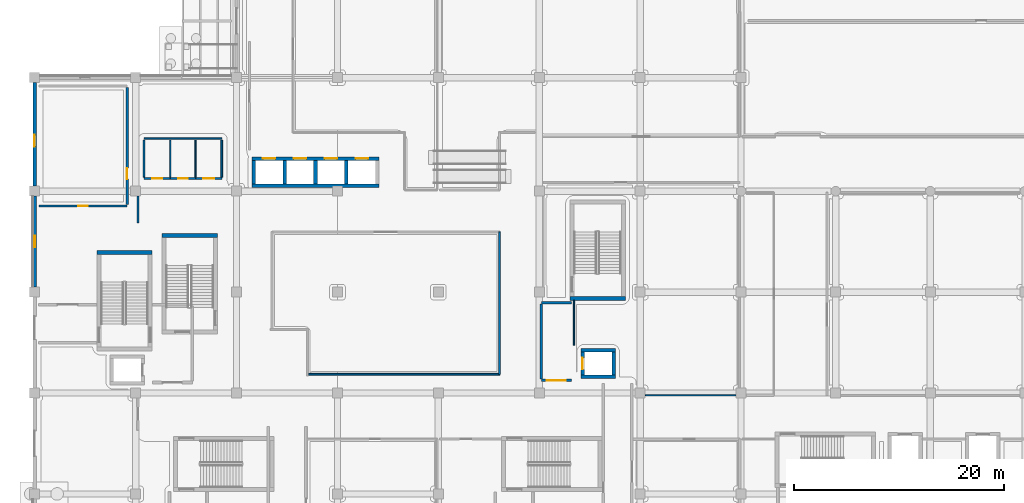
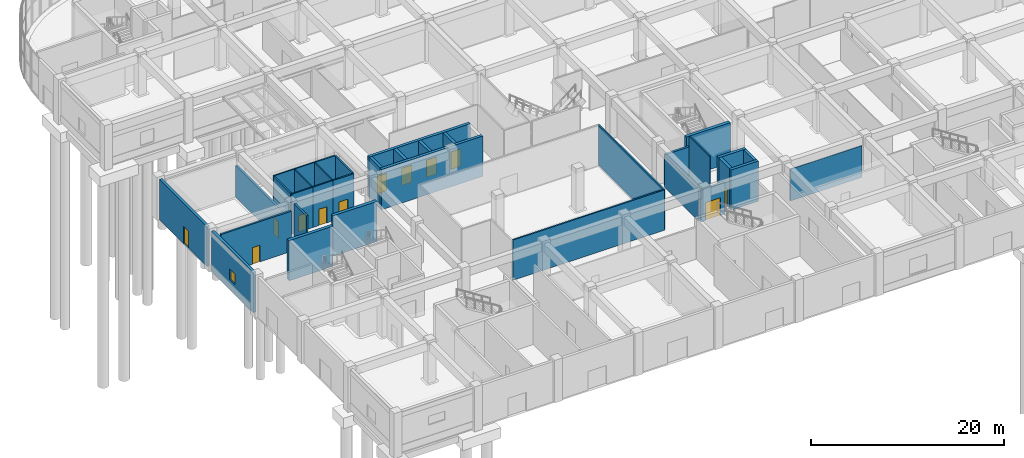
# One storey, part 29 of 74: 33 walls, 12 doors, 1 window, 13 openings.
"""IFC4 building model written with IfcOpenShell, lengths in metres."""

from ifc_helpers import new_model, si_unit, direction, frame, frame_2d, origin, place, context, subcontext, project, spatial, rectangle, extrude, material, layer, layer_set, type_object, element, fill, save


model = new_model("IFC4")

# Units and contexts
model_context = context("Model", 3, precision=1e-05, world=origin(), true_north=direction((0.0, 1.0)))
body_context = subcontext(model_context, "Body", "Model", "MODEL_VIEW")
ifc_project = project(units=[si_unit("LENGTHUNIT", "METRE"), si_unit("AREAUNIT", "SQUARE_METRE"), si_unit("VOLUMEUNIT", "CUBIC_METRE"), si_unit("PLANEANGLEUNIT", "RADIAN"), si_unit("MASSUNIT", "GRAM", prefix="KILO")], contexts=[model_context])

# Site, building, storey
site_placement = place(None, origin())
site = spatial("IfcSite", under=ifc_project, at=site_placement, CompositionType="ELEMENT")
building_placement = place(site_placement, origin())
building = spatial("IfcBuilding", under=site, at=building_placement, Name="Cendralis Terraced Arcade", CompositionType="ELEMENT")
storey_placement = place(building_placement, origin())
storey = spatial("IfcBuildingStorey", under=building, at=storey_placement, Name="L00", CompositionType="ELEMENT", Elevation=0.0)

# Walls
ifc_material_1 = material(Name="Gypsum plasterboard acoustic partition", Category="concrete")
ifc_layer_1 = layer(ifc_material_1, 0.199951171875, Name="WL-ACOU-200")
ifc_layer_set_1 = layer_set([ifc_layer_1], Name="Gypsum plasterboard acoustic partition")
wall_type_1 = type_object("IfcWallType", Name="WL-ACOU-200", PredefinedType="PARTITIONING", material=ifc_layer_set_1)
wall_1_placement = place(storey_placement, frame((9.820068359375, 37.925048828125, 0.0), z_axis=(0.0, 0.0, 1.0), x_axis=(0.0, -1.0, 0.0)))
element("IfcWall", 1, at=wall_1_placement, inside=storey, type_object=wall_type_1, Name="Interior Partition Wall IW-L00-0208", PredefinedType="PARTITIONING", context=body_context, shape_type="SweptSolid", body=[
    extrude(rectangle(XDim=2.545166015625, YDim=0.199951171875, at=frame_2d((1.2724609375, 0.0))), origin(), (0.0, 0.0, 1.0), 5.090087890625),
])
ifc_material_2 = material(Name="Concrete f'c 42 MPa", Category="concrete")
ifc_layer_2 = layer(ifc_material_2, 0.340087890625, Name="WL-CORE-340")
ifc_layer_set_2 = layer_set([ifc_layer_2], Name="Concrete f'c 42 MPa")
wall_type_2 = type_object("IfcWallType", Name="WL-CORE-340", PredefinedType="SHEAR", material=ifc_layer_set_2)
for number, where, z_axis, x_axis, name in (
    (2, (51.9599609375, 20.72998046875, 0.0), (0.0, 0.0, 1.0), (1.0, 0.0, 0.0), "Lift FFL-02 Reinforced Concrete Shaft Wall (L00)"),
    (3, (51.9599609375, 23.27001953125, 0.0), (0.0, 0.0, 1.0), (1.0, 0.0, 0.0), "Lift FFL-02 Reinforced Concrete Shaft Wall (L00)"),
):
    element("IfcWall", number, at=place(storey_placement, frame(where, z_axis=z_axis, x_axis=x_axis)), inside=storey, type_object=wall_type_2, Name=name, PredefinedType="SHEAR", context=body_context, shape_type="SweptSolid", body=[
        extrude(rectangle(XDim=3.280029296875, YDim=0.340087890625, at=frame_2d((1.64013671875, 0.0))), origin(), (0.0, 0.0, 1.0), 5.090087890625),
    ])

# Wall, opening, door
wall_2_placement = place(storey_placement, frame((52.1298828125, 20.89990234375, 0.0), z_axis=(0.0, 0.0, 1.0), x_axis=(0.0, 1.0, 0.0)))
wall_2 = element("IfcWall", 4, at=wall_2_placement, inside=storey, type_object=wall_type_2, Name="Lift FFL-02 Reinforced Concrete Shaft Wall (L00)", PredefinedType="SHEAR", context=body_context, shape_type="SweptSolid", body=[
    extrude(rectangle(XDim=2.2001953125, YDim=0.340087890625, at=frame_2d((1.10009765625, 0.0))), origin(), (0.0, 0.0, 1.0), 5.090087890625),
])
opening_1_placement = place(wall_2_placement, frame((0.550048828125, 0.0, 0.0)))
opening_1 = element("IfcOpeningElement", 5, at=opening_1_placement, cuts=wall_2, Name="Opening LD-FFL-02-L00", PredefinedType="OPENING", context=body_context, shape_type="SweptSolid", body=[
    extrude(rectangle(XDim=1.10009765625, YDim=2.14990234375, at=frame_2d((0.550048828125, 1.074951171875))), frame((0.0, 0.18212890625, 0.0), z_axis=(0.0, -1.0, 0.0), x_axis=(1.0, 0.0, 0.0)), (0.0, 0.0, 1.0), 0.364013671875),
])
ifc_material_3 = material(Name="Anodised aluminium sliding door assembly", Category="aluminium")
door_type_1 = type_object("IfcDoorType", Name="ID-LD-FF-1100x2150", OperationType="DOUBLE_DOOR_SLIDING", PredefinedType="DOOR", material=ifc_material_3)
door_1_placement = place(opening_1_placement, origin())
door_1 = element("IfcDoor", 6, at=door_1_placement, inside=storey, type_object=door_type_1, Name="Lift FFL-02 Sliding Landing Door (L00)", OperationType="DOUBLE_DOOR_SLIDING", OverallHeight=2.14990234375, OverallWidth=1.10009765625, PredefinedType="DOOR", context=body_context, shape_type="SweptSolid", body=[
    extrude(rectangle(XDim=1.10009765625, YDim=2.14990234375, at=frame_2d((0.550048828125, 1.074951171875))), frame((0.0, 0.02490234375, 0.0), z_axis=(0.0, -1.0, 0.0), x_axis=(1.0, 0.0, 0.0)), (0.0, 0.0, 1.0), 0.050048828125),
])
fill(opening_1, door_1)

# Walls
wall_3_placement = place(storey_placement, frame((55.070068359375, 20.89990234375, 0.0), z_axis=(0.0, 0.0, 1.0), x_axis=(0.0, 1.0, 0.0)))
element("IfcWall", 7, at=wall_3_placement, inside=storey, type_object=wall_type_2, Name="Lift FFL-02 Reinforced Concrete Shaft Wall (L00)", PredefinedType="SHEAR", context=body_context, shape_type="SweptSolid", body=[
    extrude(rectangle(XDim=2.2001953125, YDim=0.340087890625, at=frame_2d((1.10009765625, 0.0))), origin(), (0.0, 0.0, 1.0), 5.090087890625),
])
for number, where, z_axis, x_axis, name in (
    (8, (23.77001953125, 39.074951171875, 0.0), (0.0, 0.0, 1.0), (0.0, 1.0, 0.0), "Lift PL-01 Reinforced Concrete Shaft Wall (L00)"),
    (9, (20.830078125, 39.074951171875, 0.0), (0.0, 0.0, 1.0), (0.0, 1.0, 0.0), "Lift PL-01 Reinforced Concrete Shaft Wall (L00)"),
):
    element("IfcWall", number, at=place(storey_placement, frame(where, z_axis=z_axis, x_axis=x_axis)), inside=storey, type_object=wall_type_2, Name=name, PredefinedType="SHEAR", context=body_context, shape_type="SweptSolid", body=[
        extrude(rectangle(XDim=2.25, YDim=0.340087890625, at=frame_2d((1.125, 0.0))), origin(), (0.0, 0.0, 1.0), 5.090087890625),
    ])
wall_4_placement = place(storey_placement, frame((20.659912109375, 38.905029296875, 0.0), z_axis=(0.0, 0.0, 1.0), x_axis=(1.0, 0.0, 0.0)))
element("IfcWall", 10, at=wall_4_placement, inside=storey, type_object=wall_type_2, Name="Lift PL-01 Reinforced Concrete Shaft Wall (L00)", PredefinedType="SHEAR", context=body_context, shape_type="SweptSolid", body=[
    extrude(rectangle(XDim=12.10009765625, YDim=0.340087890625, at=frame_2d((6.050048828125, 0.0))), origin(), (0.0, 0.0, 1.0), 5.090087890625),
])

# Wall, openings, doors
wall_5_placement = place(storey_placement, frame((20.659912109375, 41.4951171875, 0.0), z_axis=(0.0, 0.0, 1.0), x_axis=(1.0, 0.0, 0.0)))
wall_5 = element("IfcWall", 11, at=wall_5_placement, inside=storey, type_object=wall_type_2, Name="Lift PL-01 Reinforced Concrete Shaft Wall (L00)", PredefinedType="SHEAR", context=body_context, shape_type="SweptSolid", body=[
    extrude(rectangle(XDim=12.10009765625, YDim=0.340087890625, at=frame_2d((6.050048828125, 0.0))), origin(), (0.0, 0.0, 1.0), 5.090087890625),
])
opening_2_placement = place(wall_5_placement, frame((1.0400390625, 0.0, 0.0)))
opening_2 = element("IfcOpeningElement", 12, at=opening_2_placement, cuts=wall_5, Name="Opening LD-PL-01-L00", PredefinedType="OPENING", context=body_context, shape_type="SweptSolid", body=[
    extrude(rectangle(XDim=1.199951171875, YDim=2.199951171875, at=frame_2d((0.60009765625, 1.10009765625))), frame((0.0, 0.18212890625, 0.0), z_axis=(0.0, -1.0, 0.0), x_axis=(1.0, 0.0, 0.0)), (0.0, 0.0, 1.0), 0.364013671875),
])
opening_3_placement = place(wall_5_placement, frame((3.97998046875, 0.0, 0.0)))
opening_3 = element("IfcOpeningElement", 13, at=opening_3_placement, cuts=wall_5, Name="Opening LD-PL-02-L00", PredefinedType="OPENING", context=body_context, shape_type="SweptSolid", body=[
    extrude(rectangle(XDim=1.199951171875, YDim=2.199951171875, at=frame_2d((0.60009765625, 1.10009765625))), frame((0.0, 0.18212890625, 0.0), z_axis=(0.0, -1.0, 0.0), x_axis=(1.0, 0.0, 0.0)), (0.0, 0.0, 1.0), 0.364013671875),
])
opening_4_placement = place(wall_5_placement, frame((6.919921875, 0.0, 0.0)))
opening_4 = element("IfcOpeningElement", 14, at=opening_4_placement, cuts=wall_5, Name="Opening LD-PL-03-L00", PredefinedType="OPENING", context=body_context, shape_type="SweptSolid", body=[
    extrude(rectangle(XDim=1.199951171875, YDim=2.199951171875, at=frame_2d((0.60009765625, 1.10009765625))), frame((0.0, 0.18212890625, 0.0), z_axis=(0.0, -1.0, 0.0), x_axis=(1.0, 0.0, 0.0)), (0.0, 0.0, 1.0), 0.364013671875),
])
opening_5_placement = place(wall_5_placement, frame((9.860107421875, 0.0, 0.0)))
opening_5 = element("IfcOpeningElement", 15, at=opening_5_placement, cuts=wall_5, Name="Opening LD-PL-04-L00", PredefinedType="OPENING", context=body_context, shape_type="SweptSolid", body=[
    extrude(rectangle(XDim=1.199951171875, YDim=2.199951171875, at=frame_2d((0.60009765625, 1.10009765625))), frame((0.0, 0.18212890625, 0.0), z_axis=(0.0, -1.0, 0.0), x_axis=(1.0, 0.0, 0.0)), (0.0, 0.0, 1.0), 0.364013671875),
])
door_type_2 = type_object("IfcDoorType", Name="ID-LD-PX-1200x2200", OperationType="DOUBLE_DOOR_SLIDING", PredefinedType="DOOR", material=ifc_material_3)
door_2_placement = place(opening_2_placement, origin())
door_2 = element("IfcDoor", 16, at=door_2_placement, inside=storey, type_object=door_type_2, Name="Lift PL-01 Sliding Landing Door (L00)", OperationType="DOUBLE_DOOR_SLIDING", OverallHeight=2.199951171875, OverallWidth=1.199951171875, PredefinedType="DOOR", context=body_context, shape_type="SweptSolid", body=[
    extrude(rectangle(XDim=1.199951171875, YDim=2.199951171875, at=frame_2d((0.60009765625, 1.10009765625))), frame((0.0, 0.02490234375, 0.0), z_axis=(0.0, -1.0, 0.0), x_axis=(1.0, 0.0, 0.0)), (0.0, 0.0, 1.0), 0.050048828125),
])
fill(opening_2, door_2)
door_3_placement = place(opening_3_placement, origin())
door_3 = element("IfcDoor", 17, at=door_3_placement, inside=storey, type_object=door_type_2, Name="Lift PL-02 Sliding Landing Door (L00)", OperationType="DOUBLE_DOOR_SLIDING", OverallHeight=2.199951171875, OverallWidth=1.199951171875, PredefinedType="DOOR", context=body_context, shape_type="SweptSolid", body=[
    extrude(rectangle(XDim=1.199951171875, YDim=2.199951171875, at=frame_2d((0.60009765625, 1.10009765625))), frame((0.0, 0.02490234375, 0.0), z_axis=(0.0, -1.0, 0.0), x_axis=(1.0, 0.0, 0.0)), (0.0, 0.0, 1.0), 0.050048828125),
])
fill(opening_3, door_3)
door_4_placement = place(opening_4_placement, origin())
door_4 = element("IfcDoor", 18, at=door_4_placement, inside=storey, type_object=door_type_2, Name="Lift PL-03 Sliding Landing Door (L00)", OperationType="DOUBLE_DOOR_SLIDING", OverallHeight=2.199951171875, OverallWidth=1.199951171875, PredefinedType="DOOR", context=body_context, shape_type="SweptSolid", body=[
    extrude(rectangle(XDim=1.199951171875, YDim=2.199951171875, at=frame_2d((0.60009765625, 1.10009765625))), frame((0.0, 0.02490234375, 0.0), z_axis=(0.0, -1.0, 0.0), x_axis=(1.0, 0.0, 0.0)), (0.0, 0.0, 1.0), 0.050048828125),
])
fill(opening_4, door_4)
door_5_placement = place(opening_5_placement, origin())
door_5 = element("IfcDoor", 19, at=door_5_placement, inside=storey, type_object=door_type_2, Name="Lift PL-04 Sliding Landing Door (L00)", OperationType="DOUBLE_DOOR_SLIDING", OverallHeight=2.199951171875, OverallWidth=1.199951171875, PredefinedType="DOOR", context=body_context, shape_type="SweptSolid", body=[
    extrude(rectangle(XDim=1.199951171875, YDim=2.199951171875, at=frame_2d((0.60009765625, 1.10009765625))), frame((0.0, 0.02490234375, 0.0), z_axis=(0.0, -1.0, 0.0), x_axis=(1.0, 0.0, 0.0)), (0.0, 0.0, 1.0), 0.050048828125),
])
fill(opening_5, door_5)

# Walls
for number, where, z_axis, x_axis, name in (
    (20, (26.7099609375, 39.074951171875, 0.0), (0.0, 0.0, 1.0), (0.0, 1.0, 0.0), "Lift PL-02 Reinforced Concrete Shaft Wall (L00)"),
    (21, (29.64990234375, 39.074951171875, 0.0), (0.0, 0.0, 1.0), (0.0, 1.0, 0.0), "Lift PL-03 Reinforced Concrete Shaft Wall (L00)"),
):
    element("IfcWall", number, at=place(storey_placement, frame(where, z_axis=z_axis, x_axis=x_axis)), inside=storey, type_object=wall_type_2, Name=name, PredefinedType="SHEAR", context=body_context, shape_type="SweptSolid", body=[
        extrude(rectangle(XDim=2.25, YDim=0.340087890625, at=frame_2d((1.125, 0.0))), origin(), (0.0, 0.0, 1.0), 5.090087890625),
    ])
ifc_layer_3 = layer(ifc_material_2, 0.3798828125, Name="WL-CORE-380")
ifc_layer_set_3 = layer_set([ifc_layer_3], Name="Concrete f'c 42 MPa")
wall_type_3 = type_object("IfcWallType", Name="WL-CORE-380", PredefinedType="SHEAR", material=ifc_layer_set_3)
for number, where, z_axis, x_axis, name in (
    (22, (5.919921875, 32.590087890625, 0.0), (0.0, 0.0, 1.0), (1.0, 0.0, 0.0), "Stair Core Reinforced Concrete Shear Wall SW-ST-01-L00-N"),
    (23, (50.919921875, 28.2099609375, 0.0), (0.0, 0.0, 1.0), (1.0, 0.0, 0.0), "Stair Core Reinforced Concrete Shear Wall SW-ST-04-L00-S"),
):
    element("IfcWall", number, at=place(storey_placement, frame(where, z_axis=z_axis, x_axis=x_axis)), inside=storey, type_object=wall_type_3, Name=name, PredefinedType="SHEAR", context=body_context, shape_type="SweptSolid", body=[
        extrude(rectangle(XDim=5.260009765625, YDim=0.3798828125, at=frame_2d((2.6298828125, 0.0))), origin(), (0.0, 0.0, 1.0), 5.090087890625),
    ])
wall_6_placement = place(storey_placement, frame((12.1201171875, 34.18994140625, 0.0), z_axis=(0.0, 0.0, 1.0), x_axis=(1.0, 0.0, 0.0)))
element("IfcWall", 24, at=wall_6_placement, inside=storey, type_object=wall_type_3, Name="Stair Core Reinforced Concrete Shear Wall SW-ST-05-L00-N", PredefinedType="SHEAR", context=body_context, shape_type="SweptSolid", body=[
    extrude(rectangle(XDim=5.259765625, YDim=0.3798828125, at=frame_2d((2.6298828125, 0.0))), origin(), (0.0, 0.0, 1.0), 5.090087890625),
])

# Wall, opening, window
ifc_material_4 = material(Name="Precast concrete f'c 40 MPa", Category="concrete")
ifc_layer_4 = layer(ifc_material_4, 0.320068359375, Name="WL-EXT-GRC-320")
ifc_layer_set_4 = layer_set([ifc_layer_4], Name="Precast concrete f'c 40 MPa")
wall_type_4 = type_object("IfcWallType", Name="WL-EXT-GRC-320", PredefinedType="SOLIDWALL", material=ifc_layer_set_4)
wall_7_placement = place(storey_placement, frame((0.0, 29.27294921875, 0.0), z_axis=(0.0, 0.0, 1.0), x_axis=(0.0, 1.0, 0.0)))
wall_7 = element("IfcWall", 25, at=wall_7_placement, inside=storey, type_object=wall_type_4, Name="Exterior Architectural Wall EW-L00-0018", PredefinedType="SOLIDWALL", context=body_context, shape_type="SweptSolid", body=[
    extrude(rectangle(XDim=8.654052734375, YDim=0.320068359375, at=frame_2d((4.3271484375, 0.0))), origin(), (0.0, 0.0, 1.0), 5.090087890625),
])
opening_6_placement = place(wall_7_placement, frame((3.777099609375, 0.0, 1.25)))
opening_6 = element("IfcOpeningElement", 26, at=opening_6_placement, cuts=wall_7, Name="Opening W-22", PredefinedType="OPENING", context=body_context, shape_type="SweptSolid", body=[
    extrude(rectangle(XDim=1.10009765625, YDim=1.35009765625, at=frame_2d((0.550048828125, 0.675048828125))), frame((0.0, 0.171875, 0.0), z_axis=(0.0, -1.0, 0.0), x_axis=(1.0, 0.0, 0.0)), (0.0, 0.0, 1.0), 0.343994140625),
])
ifc_material_5 = material(Name="Tempered solar control laminated glass", Category="glass")
window_type = type_object("IfcWindowType", Name="WN-BOH-1100x1350", PartitioningType="SINGLE_PANEL", PredefinedType="WINDOW", material=ifc_material_5)
window_placement = place(opening_6_placement, origin())
window = element("IfcWindow", 27, at=window_placement, inside=storey, type_object=window_type, Name="Exterior Solar-Control Window WN-L00-0008", OverallHeight=1.35009765625, OverallWidth=1.10009765625, PartitioningType="SINGLE_PANEL", PredefinedType="WINDOW", context=body_context, shape_type="SweptSolid", body=[
    extrude(rectangle(XDim=1.10009765625, YDim=1.35009765625, at=frame_2d((0.550048828125, 0.675048828125))), frame((0.0, 0.030029296875, 0.0), z_axis=(0.0, -1.0, 0.0), x_axis=(1.0, 0.0, 0.0)), (0.0, 0.0, 1.0), 0.06005859375),
])
fill(opening_6, window)

# Wall, opening, door
wall_8_placement = place(storey_placement, frame((0.0, 38.875, 0.0), z_axis=(0.0, 0.0, 1.0), x_axis=(0.0, 1.0, 0.0)))
wall_8 = element("IfcWall", 28, at=wall_8_placement, inside=storey, type_object=wall_type_4, Name="Exterior Architectural Wall EW-L00-0019", PredefinedType="SOLIDWALL", context=body_context, shape_type="SweptSolid", body=[
    extrude(rectangle(XDim=9.85009765625, YDim=0.320068359375, at=frame_2d((4.925048828125, 0.0))), origin(), (0.0, 0.0, 1.0), 5.090087890625),
])
opening_7_placement = place(wall_8_placement, frame((3.77490234375, 0.0, 0.0)))
opening_7 = element("IfcOpeningElement", 29, at=opening_7_placement, cuts=wall_8, Name="Opening FCC-01", PredefinedType="OPENING", context=body_context, shape_type="SweptSolid", body=[
    extrude(rectangle(XDim=1.10009765625, YDim=2.199951171875, at=frame_2d((0.550048828125, 1.10009765625))), frame((0.0, 0.171875, 0.0), z_axis=(0.0, -1.0, 0.0), x_axis=(1.0, 0.0, 0.0)), (0.0, 0.0, 1.0), 0.343994140625),
])
ifc_material_6 = material(Name="Powder-coated thermally broken aluminium and glass", Category="aluminium")
door_type_3 = type_object("IfcDoorType", Name="ED-FCC-1100x2200", OperationType="NOTDEFINED", PredefinedType="DOOR", material=ifc_material_6)
door_6_placement = place(opening_7_placement, origin())
door_6 = element("IfcDoor", 30, at=door_6_placement, inside=storey, type_object=door_type_3, Name="Fire Command Room Personnel Entrance FCC-01", OperationType="SINGLE_SWING_LEFT", OverallHeight=2.199951171875, OverallWidth=1.10009765625, PredefinedType="DOOR", context=body_context, shape_type="SweptSolid", body=[
    extrude(rectangle(XDim=1.10009765625, YDim=2.199951171875, at=frame_2d((0.550048828125, 1.10009765625))), frame((0.0, 0.02490234375, 0.0), z_axis=(0.0, -1.0, 0.0), x_axis=(1.0, 0.0, 0.0)), (0.0, 0.0, 1.0), 0.050048828125),
])
fill(opening_7, door_6)

ifc_material_7 = material(Name="Autoclaved aerated concrete blockwork", Category="masonry")
ifc_layer_5 = layer(ifc_material_7, 0.25, Name="WL-FFL-250")
ifc_layer_set_5 = layer_set([ifc_layer_5], Name="Autoclaved aerated concrete blockwork")
wall_type_5 = type_object("IfcWallType", Name="WL-FFL-250", PredefinedType="PARTITIONING", material=ifc_layer_set_5)
wall_9_placement = place(storey_placement, frame((48.199951171875, 20.39990234375, 0.0), z_axis=(0.0, 0.0, 1.0), x_axis=(1.0, 0.0, 0.0)))
wall_9 = element("IfcWall", 31, at=wall_9_placement, inside=storey, type_object=wall_type_5, Name="Firefighting Lift Lobby FFL-02 Rated Wall S (L00)", PredefinedType="PARTITIONING", context=body_context, shape_type="SweptSolid", body=[
    extrude(rectangle(XDim=2.85009765625, YDim=0.25, at=frame_2d((1.425048828125, 0.0))), origin(), (0.0, 0.0, 1.0), 4.030029296875),
])
opening_8_placement = place(wall_9_placement, frame((0.52001953125, 0.0, 0.0)))
opening_8 = element("IfcOpeningElement", 32, at=opening_8_placement, cuts=wall_9, Name="Opening D-FFL-02-L00-S", PredefinedType="OPENING", context=body_context, shape_type="SweptSolid", body=[
    extrude(rectangle(XDim=1.800048828125, YDim=2.25, at=frame_2d((0.89990234375, 1.125))), frame((0.0, 0.136962890625, 0.0), z_axis=(0.0, -1.0, 0.0), x_axis=(1.0, 0.0, 0.0)), (0.0, 0.0, 1.0), 0.27392578125),
])
ifc_material_8 = material(Name="Galvanised fire-rated steel door assembly", Category="steel")
door_type_4 = type_object("IfcDoorType", Name="ID-FFL-1800x2250", OperationType="DOUBLE_DOOR_SINGLE_SWING", PredefinedType="DOOR", material=ifc_material_8)
door_7_placement = place(opening_8_placement, origin())
door_7 = element("IfcDoor", 33, at=door_7_placement, inside=storey, type_object=door_type_4, Name="Firefighting Lift Lobby FFL-02 Rated Double Door (L00)", OperationType="DOUBLE_DOOR_SINGLE_SWING", OverallHeight=2.25, OverallWidth=1.800048828125, PredefinedType="DOOR", context=body_context, shape_type="SweptSolid", body=[
    extrude(rectangle(XDim=1.800048828125, YDim=2.25, at=frame_2d((0.89990234375, 1.125))), frame((0.0, 0.02490234375, 0.0), z_axis=(0.0, -1.0, 0.0), x_axis=(1.0, 0.0, 0.0)), (0.0, 0.0, 1.0), 0.050048828125),
])
fill(opening_8, door_7)

# Walls
wall_10_placement = place(storey_placement, frame((48.199951171875, 27.800048828125, 0.0), z_axis=(0.0, 0.0, 1.0), x_axis=(1.0, 0.0, 0.0)))
element("IfcWall", 34, at=wall_10_placement, inside=storey, type_object=wall_type_5, Name="Firefighting Lift Lobby FFL-02 Rated Wall N (L00)", PredefinedType="PARTITIONING", context=body_context, shape_type="SweptSolid", body=[
    extrude(rectangle(XDim=2.85009765625, YDim=0.25, at=frame_2d((1.425048828125, 0.0))), origin(), (0.0, 0.0, 1.0), 4.030029296875),
])
wall_11_placement = place(storey_placement, frame((48.199951171875, 20.530029296875, 0.0), z_axis=(0.0, 0.0, 1.0), x_axis=(0.0, 1.0, 0.0)))
element("IfcWall", 35, at=wall_11_placement, inside=storey, type_object=wall_type_5, Name="Firefighting Lift Lobby FFL-02 Rated Wall W (L00)", PredefinedType="PARTITIONING", context=body_context, shape_type="SweptSolid", body=[
    extrude(rectangle(XDim=7.139892578125, YDim=0.25, at=frame_2d((3.56982421875, 0.0))), origin(), (0.0, 0.0, 1.0), 4.030029296875),
])

# Wall, opening, door
ifc_layer_6 = layer(ifc_material_7, 0.215087890625, Name="WL-FIRE-215")
ifc_layer_set_6 = layer_set([ifc_layer_6], Name="Autoclaved aerated concrete blockwork")
wall_type_6 = type_object("IfcWallType", Name="WL-FIRE-215", PredefinedType="PARTITIONING", material=ifc_layer_set_6)
wall_12_placement = place(storey_placement, frame((0.39990234375, 37.0, 0.0), z_axis=(0.0, 0.0, 1.0), x_axis=(1.0, 0.0, 0.0)))
wall_12 = element("IfcWall", 36, at=wall_12_placement, inside=storey, type_object=wall_type_6, Name="Fire Command Room 2-Hour Rated Wall S", PredefinedType="PARTITIONING", context=body_context, shape_type="SweptSolid", body=[
    extrude(rectangle(XDim=8.400146484375, YDim=0.215087890625, at=frame_2d((4.2001953125, 0.0))), origin(), (0.0, 0.0, 1.0), 5.090087890625),
])
opening_9_placement = place(wall_12_placement, frame((3.739990234375, 0.0, 0.0)))
opening_9 = element("IfcOpeningElement", 37, at=opening_9_placement, cuts=wall_12, Name="Opening D-L00-058", PredefinedType="OPENING", context=body_context, shape_type="SweptSolid", body=[
    extrude(rectangle(XDim=0.919921875, YDim=2.10009765625, at=frame_2d((0.4599609375, 1.050048828125))), frame((0.0, 0.11962890625, 0.0), z_axis=(0.0, -1.0, 0.0), x_axis=(1.0, 0.0, 0.0)), (0.0, 0.0, 1.0), 0.239013671875),
])
ifc_material_9 = material(Name="Solid core Andean oak veneer door leaf", Category="aluminium")
door_type_5 = type_object("IfcDoorType", Name="ID-RM-0920x2100", OperationType="NOTDEFINED", PredefinedType="DOOR", material=ifc_material_9)
door_8_placement = place(opening_9_placement, origin())
door_8 = element("IfcDoor", 38, at=door_8_placement, inside=storey, type_object=door_type_5, Name="Fire Command Room Door D-L00-058", OperationType="SINGLE_SWING_LEFT", OverallHeight=2.10009765625, OverallWidth=0.919921875, PredefinedType="DOOR", context=body_context, shape_type="SweptSolid", body=[
    extrude(rectangle(XDim=0.919921875, YDim=2.10009765625, at=frame_2d((0.4599609375, 1.050048828125))), frame((0.0, 0.02490234375, 0.0), z_axis=(0.0, -1.0, 0.0), x_axis=(1.0, 0.0, 0.0)), (0.0, 0.0, 1.0), 0.050048828125),
])
fill(opening_9, door_8)

wall_13_placement = place(storey_placement, frame((8.800048828125, 37.14990234375, 0.0), z_axis=(0.0, 0.0, 1.0), x_axis=(0.0, 1.0, 0.0)))
wall_13 = element("IfcWall", 39, at=wall_13_placement, inside=storey, type_object=wall_type_6, Name="Fire Command Room 2-Hour Rated Wall E", PredefinedType="PARTITIONING", context=body_context, shape_type="SweptSolid", body=[
    extrude(rectangle(XDim=11.10009765625, YDim=0.215087890625, at=frame_2d((5.550048828125, 0.0))), origin(), (0.0, 0.0, 1.0), 4.030029296875),
])
opening_10_placement = place(wall_13_placement, frame((2.39990234375, 0.0, 0.0)))
opening_10 = element("IfcOpeningElement", 40, at=opening_10_placement, cuts=wall_13, Name="Opening D-FCC-IN", PredefinedType="OPENING", context=body_context, shape_type="SweptSolid", body=[
    extrude(rectangle(XDim=1.050048828125, YDim=2.14990234375, at=frame_2d((0.52490234375, 1.074951171875))), frame((0.0, 0.11962890625, 0.0), z_axis=(0.0, -1.0, 0.0), x_axis=(1.0, 0.0, 0.0)), (0.0, 0.0, 1.0), 0.239013671875),
])
door_type_6 = type_object("IfcDoorType", Name="ID-FCC-1050x2150", OperationType="NOTDEFINED", PredefinedType="DOOR", material=ifc_material_8)
door_9_placement = place(opening_10_placement, origin())
door_9 = element("IfcDoor", 41, at=door_9_placement, inside=storey, type_object=door_type_6, Name="Fire Command Room Corridor Door", OperationType="SINGLE_SWING_RIGHT", OverallHeight=2.14990234375, OverallWidth=1.050048828125, PredefinedType="DOOR", context=body_context, shape_type="SweptSolid", body=[
    extrude(rectangle(XDim=1.050048828125, YDim=2.14990234375, at=frame_2d((0.52490234375, 1.074951171875))), frame((0.0, 0.02490234375, 0.0), z_axis=(0.0, -1.0, 0.0), x_axis=(1.0, 0.0, 0.0)), (0.0, 0.0, 1.0), 0.050048828125),
])
fill(opening_10, door_9)

# Walls
ifc_layer_7 = layer(ifc_material_1, 0.117919921875, Name="WL-PART-118")
ifc_layer_set_7 = layer_set([ifc_layer_7], Name="Gypsum plasterboard acoustic partition")
wall_type_7 = type_object("IfcWallType", Name="WL-PART-118", PredefinedType="PARTITIONING", material=ifc_layer_set_7)
wall_14_placement = place(storey_placement, frame((51.31005859375, 23.744873046875, 0.0), z_axis=(0.0, 0.0, 1.0), x_axis=(0.0, 1.0, 0.0)))
element("IfcWall", 42, at=wall_14_placement, inside=storey, type_object=wall_type_7, Name="Interior Partition Wall IW-L00-0223", PredefinedType="PARTITIONING", context=body_context, shape_type="SweptSolid", body=[
    extrude(rectangle(XDim=4.275146484375, YDim=0.117919921875, at=frame_2d((2.1376953125, 0.0))), origin(), (0.0, 0.0, 1.0), 5.090087890625),
])
ifc_layer_8 = layer(ifc_material_1, 0.1220703125, Name="WL-PART-122")
ifc_layer_set_8 = layer_set([ifc_layer_8], Name="Gypsum plasterboard acoustic partition")
wall_type_8 = type_object("IfcWallType", Name="WL-PART-122", PredefinedType="PARTITIONING", material=ifc_layer_set_8)
wall_15_placement = place(storey_placement, frame((66.705078125, 18.97998046875, 0.0), z_axis=(0.0, 0.0, 1.0), x_axis=(-1.0, 0.0, 0.0)))
element("IfcWall", 43, at=wall_15_placement, inside=storey, type_object=wall_type_8, Name="Interior Partition Wall IW-L00-0222", PredefinedType="PARTITIONING", context=body_context, shape_type="SweptSolid", body=[
    extrude(rectangle(XDim=8.610107421875, YDim=0.1220703125, at=frame_2d((4.30517578125, 0.0))), origin(), (0.0, 0.0, 1.0), 4.030029296875),
])
ifc_layer_9 = layer(ifc_material_1, 0.1298828125, Name="WL-PART-130")
ifc_layer_set_9 = layer_set([ifc_layer_9], Name="Gypsum plasterboard acoustic partition")
wall_type_9 = type_object("IfcWallType", Name="WL-PART-130", PredefinedType="PARTITIONING", material=ifc_layer_set_9)
for number, where, z_axis, x_axis, name in (
    (44, (12.89990234375, 39.75, 0.0), (0.0, 0.0, 1.0), (0.0, 1.0, 0.0), "Restroom Enclosure Partition IW-WC-L00-0011"),
    (45, (15.300048828125, 39.75, 0.0), (0.0, 0.0, 1.0), (0.0, 1.0, 0.0), "Restroom Enclosure Partition IW-WC-L00-0012"),
):
    element("IfcWall", number, at=place(storey_placement, frame(where, z_axis=z_axis, x_axis=x_axis)), inside=storey, type_object=wall_type_9, Name=name, PredefinedType="PARTITIONING", context=body_context, shape_type="SweptSolid", body=[
        extrude(rectangle(XDim=3.5, YDim=0.1298828125, at=frame_2d((1.75, 0.0))), origin(), (0.0, 0.0, 1.0), 5.090087890625),
    ])
ifc_layer_10 = layer(ifc_material_1, 0.159912109375, Name="WL-PART-160")
ifc_layer_set_10 = layer_set([ifc_layer_10], Name="Gypsum plasterboard acoustic partition")
wall_type_10 = type_object("IfcWallType", Name="WL-PART-160", PredefinedType="PARTITIONING", material=ifc_layer_set_10)
wall_16_placement = place(storey_placement, frame((10.39990234375, 43.39990234375, 0.0), z_axis=(0.0, 0.0, 1.0), x_axis=(1.0, 0.0, 0.0)))
element("IfcWall", 46, at=wall_16_placement, inside=storey, type_object=wall_type_10, Name="Restroom Enclosure Partition IW-WC-L00-0009", PredefinedType="PARTITIONING", context=body_context, shape_type="SweptSolid", body=[
    extrude(rectangle(XDim=7.400146484375, YDim=0.159912109375, at=frame_2d((3.7001953125, 0.0))), origin(), (0.0, 0.0, 1.0), 5.090087890625),
])
for number, where, z_axis, x_axis, name in (
    (47, (10.39990234375, 39.75, 0.0), (0.0, 0.0, 1.0), (0.0, 1.0, 0.0), "Restroom Enclosure Partition IW-WC-L00-0010"),
    (48, (17.800048828125, 39.75, 0.0), (0.0, 0.0, 1.0), (0.0, 1.0, 0.0), "Restroom Enclosure Partition IW-WC-L00-0013"),
):
    element("IfcWall", number, at=place(storey_placement, frame(where, z_axis=z_axis, x_axis=x_axis)), inside=storey, type_object=wall_type_10, Name=name, PredefinedType="PARTITIONING", context=body_context, shape_type="SweptSolid", body=[
        extrude(rectangle(XDim=3.5, YDim=0.159912109375, at=frame_2d((1.75, 0.0))), origin(), (0.0, 0.0, 1.0), 5.090087890625),
    ])

# Wall, opening, door
wall_17_placement = place(storey_placement, frame((10.39990234375, 39.60009765625, 0.0), z_axis=(0.0, 0.0, 1.0), x_axis=(1.0, 0.0, 0.0)))
wall_17 = element("IfcWall", 49, at=wall_17_placement, inside=storey, type_object=wall_type_10, Name="Restroom Enclosure Partition IW-WC-L00-0014", PredefinedType="PARTITIONING", context=body_context, shape_type="SweptSolid", body=[
    extrude(rectangle(XDim=2.5, YDim=0.159912109375, at=frame_2d((1.25, 0.0))), origin(), (0.0, 0.0, 1.0), 5.090087890625),
])
opening_11_placement = place(wall_17_placement, frame((0.77490234375, 0.0, 0.0)))
opening_11 = element("IfcOpeningElement", 50, at=opening_11_placement, cuts=wall_17, Name="Opening D-WC-L00-004", PredefinedType="OPENING", context=body_context, shape_type="SweptSolid", body=[
    extrude(rectangle(XDim=0.949951171875, YDim=2.080078125, at=frame_2d((0.47509765625, 1.0400390625))), frame((0.0, 0.091796875, 0.0), z_axis=(0.0, -1.0, 0.0), x_axis=(1.0, 0.0, 0.0)), (0.0, 0.0, 1.0), 0.183837890625),
])
door_type_7 = type_object("IfcDoorType", Name="ID-WC-0950x2080", OperationType="NOTDEFINED", PredefinedType="DOOR", material=ifc_material_9)
door_10_placement = place(opening_11_placement, origin())
door_10 = element("IfcDoor", 51, at=door_10_placement, inside=storey, type_object=door_type_7, Name="Women's Restroom Door (L00)", OperationType="SINGLE_SWING_LEFT", OverallHeight=2.080078125, OverallWidth=0.949951171875, PredefinedType="DOOR", context=body_context, shape_type="SweptSolid", body=[
    extrude(rectangle(XDim=0.949951171875, YDim=2.080078125, at=frame_2d((0.47509765625, 1.0400390625))), frame((0.0, 0.02490234375, 0.0), z_axis=(0.0, -1.0, 0.0), x_axis=(1.0, 0.0, 0.0)), (0.0, 0.0, 1.0), 0.050048828125),
])
fill(opening_11, door_10)

wall_18_placement = place(storey_placement, frame((12.89990234375, 39.60009765625, 0.0), z_axis=(0.0, 0.0, 1.0), x_axis=(1.0, 0.0, 0.0)))
wall_18 = element("IfcWall", 52, at=wall_18_placement, inside=storey, type_object=wall_type_10, Name="Restroom Enclosure Partition IW-WC-L00-0015", PredefinedType="PARTITIONING", context=body_context, shape_type="SweptSolid", body=[
    extrude(rectangle(XDim=2.400146484375, YDim=0.159912109375, at=frame_2d((1.2001953125, 0.0))), origin(), (0.0, 0.0, 1.0), 5.090087890625),
])
opening_12_placement = place(wall_18_placement, frame((0.739990234375, 0.0, 0.0)))
opening_12 = element("IfcOpeningElement", 53, at=opening_12_placement, cuts=wall_18, Name="Opening D-WC-L00-005", PredefinedType="OPENING", context=body_context, shape_type="SweptSolid", body=[
    extrude(rectangle(XDim=0.919921875, YDim=2.050048828125, at=frame_2d((0.4599609375, 1.02490234375))), frame((0.0, 0.091796875, 0.0), z_axis=(0.0, -1.0, 0.0), x_axis=(1.0, 0.0, 0.0)), (0.0, 0.0, 1.0), 0.183837890625),
])
door_type_8 = type_object("IfcDoorType", Name="ID-WC-0920x2050", OperationType="NOTDEFINED", PredefinedType="DOOR", material=ifc_material_9)
door_11_placement = place(opening_12_placement, origin())
door_11 = element("IfcDoor", 54, at=door_11_placement, inside=storey, type_object=door_type_8, Name="Men's Restroom Door (L00)", OperationType="SINGLE_SWING_RIGHT", OverallHeight=2.050048828125, OverallWidth=0.919921875, PredefinedType="DOOR", context=body_context, shape_type="SweptSolid", body=[
    extrude(rectangle(XDim=0.919921875, YDim=2.050048828125, at=frame_2d((0.4599609375, 1.02490234375))), frame((0.0, 0.02490234375, 0.0), z_axis=(0.0, -1.0, 0.0), x_axis=(1.0, 0.0, 0.0)), (0.0, 0.0, 1.0), 0.050048828125),
])
fill(opening_12, door_11)

wall_19_placement = place(storey_placement, frame((15.300048828125, 39.60009765625, 0.0), z_axis=(0.0, 0.0, 1.0), x_axis=(1.0, 0.0, 0.0)))
wall_19 = element("IfcWall", 55, at=wall_19_placement, inside=storey, type_object=wall_type_10, Name="Restroom Enclosure Partition IW-WC-L00-0016", PredefinedType="PARTITIONING", context=body_context, shape_type="SweptSolid", body=[
    extrude(rectangle(XDim=2.5, YDim=0.159912109375, at=frame_2d((1.25, 0.0))), origin(), (0.0, 0.0, 1.0), 5.090087890625),
])
opening_13_placement = place(wall_19_placement, frame((0.739990234375, 0.0, 0.0)))
opening_13 = element("IfcOpeningElement", 56, at=opening_13_placement, cuts=wall_19, Name="Opening D-WC-L00-006", PredefinedType="OPENING", context=body_context, shape_type="SweptSolid", body=[
    extrude(rectangle(XDim=1.02001953125, YDim=2.1201171875, at=frame_2d((0.510009765625, 1.06005859375))), frame((0.0, 0.091796875, 0.0), z_axis=(0.0, -1.0, 0.0), x_axis=(1.0, 0.0, 0.0)), (0.0, 0.0, 1.0), 0.183837890625),
])
door_type_9 = type_object("IfcDoorType", Name="ID-AWC-1020x2120", OperationType="NOTDEFINED", PredefinedType="DOOR", material=ifc_material_9)
door_12_placement = place(opening_13_placement, origin())
door_12 = element("IfcDoor", 57, at=door_12_placement, inside=storey, type_object=door_type_9, Name="Accessible WC Door (L00)", OperationType="SINGLE_SWING_LEFT", OverallHeight=2.1201171875, OverallWidth=1.02001953125, PredefinedType="DOOR", context=body_context, shape_type="SweptSolid", body=[
    extrude(rectangle(XDim=1.02001953125, YDim=2.1201171875, at=frame_2d((0.510009765625, 1.06005859375))), frame((0.0, 0.02490234375, 0.0), z_axis=(0.0, -1.0, 0.0), x_axis=(1.0, 0.0, 0.0)), (0.0, 0.0, 1.0), 0.050048828125),
])
fill(opening_13, door_12)

# Walls
ifc_layer_11 = layer(ifc_material_1, 0.169921875, Name="WL-PART-170")
ifc_layer_set_11 = layer_set([ifc_layer_11], Name="Gypsum plasterboard acoustic partition")
wall_type_11 = type_object("IfcWallType", Name="WL-PART-170", PredefinedType="PARTITIONING", material=ifc_layer_set_11)
wall_20_placement = place(storey_placement, frame((44.219970703125, 34.52001953125, 0.0), z_axis=(0.0, 0.0, 1.0), x_axis=(0.0, -1.0, 0.0)))
element("IfcWall", 58, at=wall_20_placement, inside=storey, type_object=wall_type_11, Name="Interior Partition Wall IW-L00-0192", PredefinedType="PARTITIONING", context=body_context, shape_type="SweptSolid", body=[
    extrude(rectangle(XDim=13.5400390625, YDim=0.169921875, at=frame_2d((6.77001953125, 0.0))), origin(), (0.0, 0.0, 1.0), 5.090087890625),
])
ifc_layer_12 = layer(ifc_material_1, 0.175048828125, Name="WL-PART-175")
ifc_layer_set_12 = layer_set([ifc_layer_12], Name="Gypsum plasterboard acoustic partition")
wall_type_12 = type_object("IfcWallType", Name="WL-PART-175", PredefinedType="PARTITIONING", material=ifc_layer_set_12)
wall_21_placement = place(storey_placement, frame((44.219970703125, 20.97998046875, 0.0), z_axis=(0.0, 0.0, 1.0), x_axis=(-1.0, 0.0, 0.0)))
element("IfcWall", 59, at=wall_21_placement, inside=storey, type_object=wall_type_12, Name="Interior Partition Wall IW-L00-0191", PredefinedType="PARTITIONING", context=body_context, shape_type="SweptSolid", body=[
    extrude(rectangle(XDim=18.179931640625, YDim=0.175048828125, at=frame_2d((9.08984375, 0.0))), origin(), (0.0, 0.0, 1.0), 5.090087890625),
])

save(model, "model.ifc")
